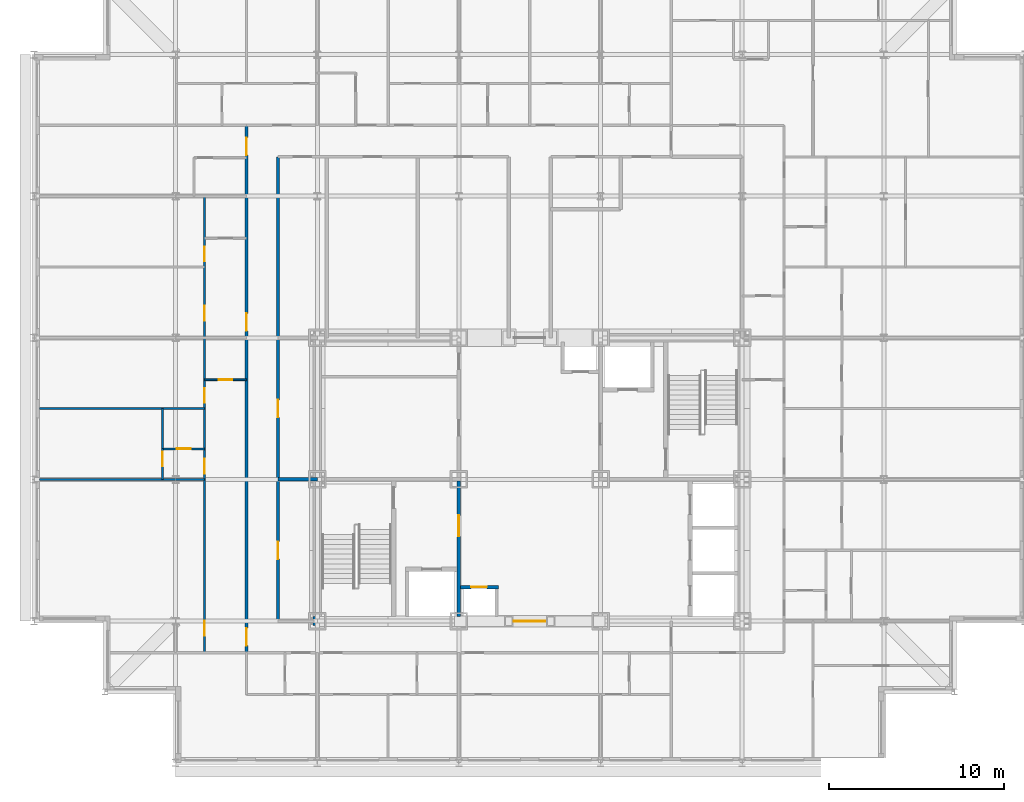
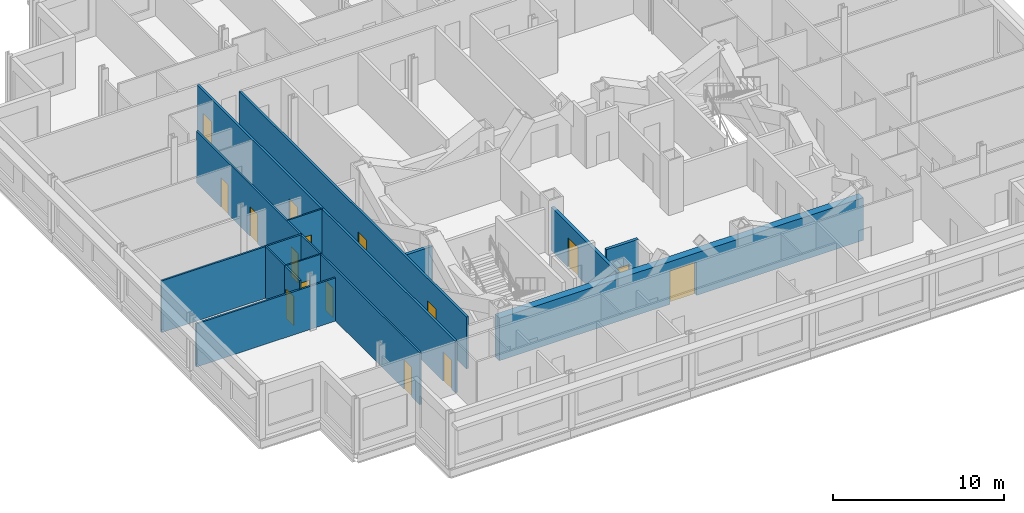
# One storey, part 8 of 15: 16 doors, 13 walls, 16 openings.
"""IFC4 building model written with IfcOpenShell, lengths in metres."""

from ifc_helpers import new_model, si_unit, direction, frame, frame_2d, origin, place, context, subcontext, project, spatial, rectangle, extrude, material, layer, layer_set, type_object, element, fill, save


model = new_model("IFC4")

# Units and contexts
model_context = context("Model", 3, precision=1e-05, world=origin(), true_north=direction((0.0, 1.0)))
body_context = subcontext(model_context, "Body", "Model", "MODEL_VIEW")
ifc_project = project(units=[si_unit("LENGTHUNIT", "METRE"), si_unit("AREAUNIT", "SQUARE_METRE"), si_unit("VOLUMEUNIT", "CUBIC_METRE"), si_unit("PLANEANGLEUNIT", "RADIAN"), si_unit("MASSUNIT", "GRAM", prefix="KILO")], contexts=[model_context])

# Site, building, storey
site_placement = place(None, origin())
site = spatial("IfcSite", under=ifc_project, at=site_placement, CompositionType="ELEMENT")
building_placement = place(site_placement, origin())
building = spatial("IfcBuilding", under=site, at=building_placement, Name="Kopane Lantern Tower", CompositionType="ELEMENT")
storey_placement = place(building_placement, frame((0.0, 0.0, 273.60009765625)))
storey = spatial("IfcBuildingStorey", under=building, at=storey_placement, Name="L70", CompositionType="ELEMENT", Elevation=273.60009765625)

# Wall, openings, doors
ifc_material_1 = material(Name="Gypsum board on steel studs", Category="steel")
ifc_layer_1 = layer(ifc_material_1, 0.1201171875)
ifc_layer_set_1 = layer_set([ifc_layer_1], Name="APARTMENT INTERNAL WALL 120")
wall_type_1 = type_object("IfcWallType", Name="APARTMENT INTERNAL WALL 120", PredefinedType="PARTITIONING", material=ifc_layer_set_1)
wall_1_placement = place(storey_placement, frame((9.75, 22.5, 0.0), z_axis=(0.0, 0.0, 1.0), x_axis=(0.0, 1.0, 0.0)))
wall_1 = element("IfcWall", 1, at=wall_1_placement, inside=storey, type_object=wall_type_1, Name="Apartment Internal Wall 120 L70", PredefinedType="PARTITIONING", context=body_context, shape_type="SweptSolid", body=[
    extrude(rectangle(XDim=26.10009765625, YDim=0.1201171875, at=frame_2d((13.050048828125, 0.0))), origin(), (0.0, 0.0, 1.0), 3.68994140625),
])
opening_1_placement = place(wall_1_placement, frame((0.97509765625, 0.0, 0.0)))
opening_1 = element("IfcOpeningElement", 2, at=opening_1_placement, cuts=wall_1, Name="Opening L70-028", PredefinedType="OPENING", context=body_context, shape_type="SweptSolid", body=[
    extrude(rectangle(XDim=0.85009765625, YDim=2.10009765625, at=frame_2d((0.425048828125, 1.050048828125))), frame((0.0, 0.070068359375, 0.0), z_axis=(0.0, -1.0, 0.0), x_axis=(1.0, 0.0, 0.0)), (0.0, 0.0, 1.0), 0.14013671875),
])
opening_2_placement = place(wall_1_placement, frame((10.22509765625, 0.0, 0.0)))
opening_2 = element("IfcOpeningElement", 3, at=opening_2_placement, cuts=wall_1, Name="Opening L70-030", PredefinedType="OPENING", context=body_context, shape_type="SweptSolid", body=[
    extrude(rectangle(XDim=0.85009765625, YDim=2.10009765625, at=frame_2d((0.425048828125, 1.050048828125))), frame((0.0, 0.070068359375, 0.0), z_axis=(0.0, -1.0, 0.0), x_axis=(1.0, 0.0, 0.0)), (0.0, 0.0, 1.0), 0.14013671875),
])
opening_3_placement = place(wall_1_placement, frame((14.27490234375, 0.0, 0.0)))
opening_3 = element("IfcOpeningElement", 4, at=opening_3_placement, cuts=wall_1, Name="Opening L70-031", PredefinedType="OPENING", context=body_context, shape_type="SweptSolid", body=[
    extrude(rectangle(XDim=0.85009765625, YDim=2.10009765625, at=frame_2d((0.425048828125, 1.050048828125))), frame((0.0, 0.070068359375, 0.0), z_axis=(0.0, -1.0, 0.0), x_axis=(1.0, 0.0, 0.0)), (0.0, 0.0, 1.0), 0.14013671875),
])
opening_4_placement = place(wall_1_placement, frame((18.97509765625, 0.0, 0.0)))
opening_4 = element("IfcOpeningElement", 5, at=opening_4_placement, cuts=wall_1, Name="Opening L70-034", PredefinedType="OPENING", context=body_context, shape_type="SweptSolid", body=[
    extrude(rectangle(XDim=0.85009765625, YDim=2.10009765625, at=frame_2d((0.425048828125, 1.050048828125))), frame((0.0, 0.070068359375, 0.0), z_axis=(0.0, -1.0, 0.0), x_axis=(1.0, 0.0, 0.0)), (0.0, 0.0, 1.0), 0.14013671875),
])
opening_5_placement = place(wall_1_placement, frame((22.375, 0.0, 0.0)))
opening_5 = element("IfcOpeningElement", 6, at=opening_5_placement, cuts=wall_1, Name="Opening L70-035", PredefinedType="OPENING", context=body_context, shape_type="SweptSolid", body=[
    extrude(rectangle(XDim=0.85009765625, YDim=2.10009765625, at=frame_2d((0.425048828125, 1.050048828125))), frame((0.0, 0.070068359375, 0.0), z_axis=(0.0, -1.0, 0.0), x_axis=(1.0, 0.0, 0.0)), (0.0, 0.0, 1.0), 0.14013671875),
])
ifc_material_2 = material(Name="Timber door set", Category="wood")
door_type_1 = type_object("IfcDoorType", Name="DOOR D4 850x2100", OperationType="SINGLE_SWING_LEFT", PredefinedType="DOOR", material=ifc_material_2)
door_1_placement = place(opening_1_placement, origin())
door_1 = element("IfcDoor", 7, at=door_1_placement, inside=storey, type_object=door_type_1, Name="Door L70-028", OperationType="SINGLE_SWING_RIGHT", OverallHeight=2.10009765625, OverallWidth=0.85009765625, PredefinedType="DOOR", context=body_context, shape_type="SweptSolid", body=[
    extrude(rectangle(XDim=0.85009765625, YDim=2.10009765625, at=frame_2d((0.425048828125, 1.050048828125))), frame((0.0, 0.02490234375, 0.0), z_axis=(0.0, -1.0, 0.0), x_axis=(1.0, 0.0, 0.0)), (0.0, 0.0, 1.0), 0.050048828125),
])
fill(opening_1, door_1)
door_2_placement = place(opening_2_placement, origin())
door_2 = element("IfcDoor", 8, at=door_2_placement, inside=storey, type_object=door_type_1, Name="Door L70-030", OperationType="SINGLE_SWING_LEFT", OverallHeight=2.10009765625, OverallWidth=0.85009765625, PredefinedType="DOOR", context=body_context, shape_type="SweptSolid", body=[
    extrude(rectangle(XDim=0.85009765625, YDim=2.10009765625, at=frame_2d((0.425048828125, 1.050048828125))), frame((0.0, 0.02490234375, 0.0), z_axis=(0.0, -1.0, 0.0), x_axis=(1.0, 0.0, 0.0)), (0.0, 0.0, 1.0), 0.050048828125),
])
fill(opening_2, door_2)
door_3_placement = place(opening_3_placement, origin())
door_3 = element("IfcDoor", 9, at=door_3_placement, inside=storey, type_object=door_type_1, Name="Door L70-031", OperationType="SINGLE_SWING_LEFT", OverallHeight=2.10009765625, OverallWidth=0.85009765625, PredefinedType="DOOR", context=body_context, shape_type="SweptSolid", body=[
    extrude(rectangle(XDim=0.85009765625, YDim=2.10009765625, at=frame_2d((0.425048828125, 1.050048828125))), frame((0.0, 0.02490234375, 0.0), z_axis=(0.0, -1.0, 0.0), x_axis=(1.0, 0.0, 0.0)), (0.0, 0.0, 1.0), 0.050048828125),
])
fill(opening_3, door_3)
door_4_placement = place(opening_4_placement, origin())
door_4 = element("IfcDoor", 10, at=door_4_placement, inside=storey, type_object=door_type_1, Name="Door L70-034", OperationType="SINGLE_SWING_RIGHT", OverallHeight=2.10009765625, OverallWidth=0.85009765625, PredefinedType="DOOR", context=body_context, shape_type="SweptSolid", body=[
    extrude(rectangle(XDim=0.85009765625, YDim=2.10009765625, at=frame_2d((0.425048828125, 1.050048828125))), frame((0.0, 0.02490234375, 0.0), z_axis=(0.0, -1.0, 0.0), x_axis=(1.0, 0.0, 0.0)), (0.0, 0.0, 1.0), 0.050048828125),
])
fill(opening_4, door_4)
door_5_placement = place(opening_5_placement, origin())
door_5 = element("IfcDoor", 11, at=door_5_placement, inside=storey, type_object=door_type_1, Name="Door L70-035", OperationType="SINGLE_SWING_LEFT", OverallHeight=2.10009765625, OverallWidth=0.85009765625, PredefinedType="DOOR", context=body_context, shape_type="SweptSolid", body=[
    extrude(rectangle(XDim=0.85009765625, YDim=2.10009765625, at=frame_2d((0.425048828125, 1.050048828125))), frame((0.0, 0.02490234375, 0.0), z_axis=(0.0, -1.0, 0.0), x_axis=(1.0, 0.0, 0.0)), (0.0, 0.0, 1.0), 0.050048828125),
])
fill(opening_5, door_5)

# Walls
wall_2_placement = place(storey_placement, frame((9.75, 32.39990234375, 0.0), z_axis=(0.0, 0.0, 1.0), x_axis=(-1.0, 0.0, 0.0)))
element("IfcWall", 12, at=wall_2_placement, inside=storey, type_object=wall_type_1, Name="Apartment Internal Wall 120 L70", PredefinedType="PARTITIONING", context=body_context, shape_type="SweptSolid", body=[
    extrude(rectangle(XDim=9.449951171875, YDim=0.1201171875, at=frame_2d((4.72509765625, 0.0))), origin(), (0.0, 0.0, 1.0), 3.07763671875),
])
wall_3_placement = place(storey_placement, frame((9.75, 36.449951171875, 0.0), z_axis=(0.0, 0.0, 1.0), x_axis=(-1.0, 0.0, 0.0)))
element("IfcWall", 13, at=wall_3_placement, inside=storey, type_object=wall_type_1, Name="Apartment Internal Wall 120 L70", PredefinedType="PARTITIONING", context=body_context, shape_type="SweptSolid", body=[
    extrude(rectangle(XDim=9.449951171875, YDim=0.1201171875, at=frame_2d((4.72509765625, 0.0))), origin(), (0.0, 0.0, 1.0), 3.68994140625),
])

# Wall, opening, door
wall_4_placement = place(storey_placement, frame((7.35009765625, 32.39990234375, 0.0), z_axis=(0.0, 0.0, 1.0), x_axis=(0.0, 1.0, 0.0)))
wall_4 = element("IfcWall", 14, at=wall_4_placement, inside=storey, type_object=wall_type_1, Name="Apartment Internal Wall 120 L70", PredefinedType="PARTITIONING", context=body_context, shape_type="SweptSolid", body=[
    extrude(rectangle(XDim=1.760009765625, YDim=0.1201171875, at=frame_2d((0.8798828125, 0.0))), origin(), (0.0, 0.0, 1.0), 3.68994140625),
])
opening_6_placement = place(wall_4_placement, frame((0.75, 0.0, 0.0)))
opening_6 = element("IfcOpeningElement", 15, at=opening_6_placement, cuts=wall_4, Name="Opening L70-063", PredefinedType="OPENING", context=body_context, shape_type="SweptSolid", body=[
    extrude(rectangle(XDim=0.85009765625, YDim=2.10009765625, at=frame_2d((0.425048828125, 1.050048828125))), frame((0.0, 0.070068359375, 0.0), z_axis=(0.0, -1.0, 0.0), x_axis=(1.0, 0.0, 0.0)), (0.0, 0.0, 1.0), 0.14013671875),
])
door_6_placement = place(opening_6_placement, origin())
door_6 = element("IfcDoor", 16, at=door_6_placement, inside=storey, type_object=door_type_1, Name="Door L70-063", OperationType="SINGLE_SWING_LEFT", OverallHeight=2.10009765625, OverallWidth=0.85009765625, PredefinedType="DOOR", context=body_context, shape_type="SweptSolid", body=[
    extrude(rectangle(XDim=0.85009765625, YDim=2.10009765625, at=frame_2d((0.425048828125, 1.050048828125))), frame((0.0, 0.02490234375, 0.0), z_axis=(0.0, -1.0, 0.0), x_axis=(1.0, 0.0, 0.0)), (0.0, 0.0, 1.0), 0.050048828125),
])
fill(opening_6, door_6)

ifc_material_3 = material(Name="Moisture-resistant board on steel studs", Category="steel")
ifc_layer_2 = layer(ifc_material_3, 0.10009765625)
ifc_layer_set_2 = layer_set([ifc_layer_2], Name="BATHROOM WALL 100")
wall_type_2 = type_object("IfcWallType", Name="BATHROOM WALL 100", PredefinedType="PARTITIONING", material=ifc_layer_set_2)
wall_5_placement = place(storey_placement, frame((12.14990234375, 38.10009765625, 0.0), z_axis=(0.0, 0.0, 1.0), x_axis=(-1.0, 0.0, 0.0)))
wall_5 = element("IfcWall", 17, at=wall_5_placement, inside=storey, type_object=wall_type_2, Name="Bathroom Wall 100 L70", PredefinedType="PARTITIONING", context=body_context, shape_type="SweptSolid", body=[
    extrude(rectangle(XDim=2.39990234375, YDim=0.10009765625, at=frame_2d((1.199951171875, 0.0))), origin(), (0.0, 0.0, 1.0), 3.68994140625),
])
opening_7_placement = place(wall_5_placement, frame((0.800048828125, 0.0, 0.0)))
opening_7 = element("IfcOpeningElement", 18, at=opening_7_placement, cuts=wall_5, Name="Opening L70-026", PredefinedType="OPENING", context=body_context, shape_type="SweptSolid", body=[
    extrude(rectangle(XDim=0.800048828125, YDim=2.10009765625, at=frame_2d((0.39990234375, 1.050048828125))), frame((0.0, 0.06005859375, 0.0), z_axis=(0.0, -1.0, 0.0), x_axis=(1.0, 0.0, 0.0)), (0.0, 0.0, 1.0), 0.1201171875),
])
ifc_material_4 = material(Name="Timber door set", Category="wood")
door_type_2 = type_object("IfcDoorType", Name="DOOR D2 800x2100", OperationType="SINGLE_SWING_LEFT", PredefinedType="DOOR", material=ifc_material_4)
door_7_placement = place(opening_7_placement, origin())
door_7 = element("IfcDoor", 19, at=door_7_placement, inside=storey, type_object=door_type_2, Name="Door L70-026", OperationType="SINGLE_SWING_RIGHT", OverallHeight=2.10009765625, OverallWidth=0.800048828125, PredefinedType="DOOR", context=body_context, shape_type="SweptSolid", body=[
    extrude(rectangle(XDim=0.800048828125, YDim=2.10009765625, at=frame_2d((0.39990234375, 1.050048828125))), frame((0.0, 0.02490234375, 0.0), z_axis=(0.0, -1.0, 0.0), x_axis=(1.0, 0.0, 0.0)), (0.0, 0.0, 1.0), 0.050048828125),
])
fill(opening_7, door_7)

wall_6_placement = place(storey_placement, frame((9.75, 34.14990234375, 0.0), z_axis=(0.0, 0.0, 1.0), x_axis=(-1.0, 0.0, 0.0)))
wall_6 = element("IfcWall", 20, at=wall_6_placement, inside=storey, type_object=wall_type_2, Name="Bathroom Wall 100 L70", PredefinedType="PARTITIONING", context=body_context, shape_type="SweptSolid", body=[
    extrude(rectangle(XDim=2.39990234375, YDim=0.10009765625, at=frame_2d((1.199951171875, 0.0))), origin(), (0.0, 0.0, 1.0), 3.68994140625),
])
opening_8_placement = place(wall_6_placement, frame((0.800048828125, 0.0, 0.0)))
opening_8 = element("IfcOpeningElement", 21, at=opening_8_placement, cuts=wall_6, Name="Opening L70-029", PredefinedType="OPENING", context=body_context, shape_type="SweptSolid", body=[
    extrude(rectangle(XDim=0.800048828125, YDim=2.10009765625, at=frame_2d((0.39990234375, 1.050048828125))), frame((0.0, 0.06005859375, 0.0), z_axis=(0.0, -1.0, 0.0), x_axis=(1.0, 0.0, 0.0)), (0.0, 0.0, 1.0), 0.1201171875),
])
door_8_placement = place(opening_8_placement, origin())
door_8 = element("IfcDoor", 22, at=door_8_placement, inside=storey, type_object=door_type_2, Name="Door L70-029", OperationType="SINGLE_SWING_RIGHT", OverallHeight=2.10009765625, OverallWidth=0.800048828125, PredefinedType="DOOR", context=body_context, shape_type="SweptSolid", body=[
    extrude(rectangle(XDim=0.800048828125, YDim=2.10009765625, at=frame_2d((0.39990234375, 1.050048828125))), frame((0.0, 0.02490234375, 0.0), z_axis=(0.0, -1.0, 0.0), x_axis=(1.0, 0.0, 0.0)), (0.0, 0.0, 1.0), 0.050048828125),
])
fill(opening_8, door_8)

# Wall
wall_7_placement = place(storey_placement, frame((7.35009765625, 34.14990234375, 0.0), z_axis=(0.0, 0.0, 1.0), x_axis=(0.0, 1.0, 0.0)))
element("IfcWall", 23, at=wall_7_placement, inside=storey, type_object=wall_type_2, Name="Bathroom Wall 100 L70", PredefinedType="PARTITIONING", context=body_context, shape_type="SweptSolid", body=[
    extrude(rectangle(XDim=2.300048828125, YDim=0.10009765625, at=frame_2d((1.14990234375, 0.0))), origin(), (0.0, 0.0, 1.0), 3.68994140625),
])

# Wall, opening, door
ifc_material_5 = material(Name="Gypsum shaft wall EI 120", Category="gypsum")
ifc_layer_3 = layer(ifc_material_5, 0.5)
ifc_layer_set_3 = layer_set([ifc_layer_3], Name="CORE PERIMETER WALL 500 EI 120")
wall_type_3 = type_object("IfcWallType", Name="CORE PERIMETER WALL 500 EI 120", PredefinedType="SOLIDWALL", material=ifc_layer_set_3)
wall_8_placement = place(storey_placement, frame((15.949951171875, 24.300048828125, 0.0), z_axis=(0.0, 0.0, 1.0), x_axis=(1.0, 0.0, 0.0)))
wall_8 = element("IfcWall", 24, at=wall_8_placement, inside=storey, type_object=wall_type_3, Name="Core shaft wall L70 PS", PredefinedType="SOLIDWALL", context=body_context, shape_type="SweptSolid", body=[
    extrude(rectangle(XDim=24.550048828125, YDim=0.5, at=frame_2d((12.27490234375, 0.0))), origin(), (0.0, 0.0, 1.0), 3.039794921875),
])
opening_9_placement = place(wall_8_placement, frame((11.5, 0.0, 0.0)))
opening_9 = element("IfcOpeningElement", 25, at=opening_9_placement, cuts=wall_8, Name="Opening 70.CE-S", PredefinedType="OPENING", context=body_context, shape_type="SweptSolid", body=[
    extrude(rectangle(XDim=1.800048828125, YDim=2.39990234375, at=frame_2d((0.89990234375, 1.199951171875))), frame((0.0, 0.260009765625, 0.0), z_axis=(0.0, -1.0, 0.0), x_axis=(1.0, 0.0, 0.0)), (0.0, 0.0, 1.0), 0.52001953125),
])
ifc_material_6 = material(Name="Steel door set", Category="steel")
door_type_3 = type_object("IfcDoorType", Name="CORE ENTRY DOOR 1800x2400 FD60S", OperationType="DOUBLE_DOOR_SINGLE_SWING", PredefinedType="DOOR", material=ifc_material_6)
door_9_placement = place(opening_9_placement, origin())
door_9 = element("IfcDoor", 26, at=door_9_placement, inside=storey, type_object=door_type_3, Name="Core entry door L70 south", OperationType="DOUBLE_DOOR_SINGLE_SWING", OverallHeight=2.39990234375, OverallWidth=1.800048828125, PredefinedType="DOOR", context=body_context, shape_type="SweptSolid", body=[
    extrude(rectangle(XDim=1.800048828125, YDim=2.39990234375, at=frame_2d((0.89990234375, 1.199951171875))), frame((0.0, 0.02490234375, 0.0), z_axis=(0.0, -1.0, 0.0), x_axis=(1.0, 0.0, 0.0)), (0.0, 0.0, 1.0), 0.050048828125),
])
fill(opening_9, door_9)

# Wall, openings, doors
ifc_material_7 = material(Name="Gypsum board on steel studs", Category="steel")
ifc_layer_4 = layer(ifc_material_7, 0.14990234375)
ifc_layer_set_4 = layer_set([ifc_layer_4], Name="CORRIDOR WALL 150 EI 60")
wall_type_4 = type_object("IfcWallType", Name="CORRIDOR WALL 150 EI 60", PredefinedType="PARTITIONING", material=ifc_layer_set_4)
wall_9_placement = place(storey_placement, frame((12.14990234375, 22.5, 0.0), z_axis=(0.0, 0.0, 1.0), x_axis=(0.0, 1.0, 0.0)))
wall_9 = element("IfcWall", 27, at=wall_9_placement, inside=storey, type_object=wall_type_4, Name="Corridor Wall 150 Ei 60 L70", PredefinedType="PARTITIONING", context=body_context, shape_type="SweptSolid", body=[
    extrude(rectangle(XDim=30.14990234375, YDim=0.14990234375, at=frame_2d((15.074951171875, 0.0))), origin(), (0.0, 0.0, 1.0), 3.68994140625),
])
opening_10_placement = place(wall_9_placement, frame((0.39990234375, 0.0, 0.0)))
opening_10 = element("IfcOpeningElement", 28, at=opening_10_placement, cuts=wall_9, Name="Opening L70-027", PredefinedType="OPENING", context=body_context, shape_type="SweptSolid", body=[
    extrude(rectangle(XDim=1.0, YDim=2.10009765625, at=frame_2d((0.5, 1.050048828125))), frame((0.0, 0.0849609375, 0.0), z_axis=(0.0, -1.0, 0.0), x_axis=(1.0, 0.0, 0.0)), (0.0, 0.0, 1.0), 0.169921875),
])
opening_11_placement = place(wall_9_placement, frame((18.39990234375, 0.0, 0.0)))
opening_11 = element("IfcOpeningElement", 29, at=opening_11_placement, cuts=wall_9, Name="Opening L70-033", PredefinedType="OPENING", context=body_context, shape_type="SweptSolid", body=[
    extrude(rectangle(XDim=1.0, YDim=2.10009765625, at=frame_2d((0.5, 1.050048828125))), frame((0.0, 0.0849609375, 0.0), z_axis=(0.0, -1.0, 0.0), x_axis=(1.0, 0.0, 0.0)), (0.0, 0.0, 1.0), 0.169921875),
])
opening_12_placement = place(wall_9_placement, frame((28.449951171875, 0.0, 0.0)))
opening_12 = element("IfcOpeningElement", 30, at=opening_12_placement, cuts=wall_9, Name="Opening L70-037", PredefinedType="OPENING", context=body_context, shape_type="SweptSolid", body=[
    extrude(rectangle(XDim=1.0, YDim=2.10009765625, at=frame_2d((0.5, 1.050048828125))), frame((0.0, 0.0849609375, 0.0), z_axis=(0.0, -1.0, 0.0), x_axis=(1.0, 0.0, 0.0)), (0.0, 0.0, 1.0), 0.169921875),
])
ifc_material_8 = material(Name="Steel door set", Category="steel")
door_type_4 = type_object("IfcDoorType", Name="DOOR D3 1000x2100 FD30S", OperationType="SINGLE_SWING_LEFT", PredefinedType="DOOR", material=ifc_material_8)
door_10_placement = place(opening_10_placement, origin())
door_10 = element("IfcDoor", 31, at=door_10_placement, inside=storey, type_object=door_type_4, Name="Door L70-027", OperationType="SINGLE_SWING_LEFT", OverallHeight=2.10009765625, OverallWidth=1.0, PredefinedType="DOOR", context=body_context, shape_type="SweptSolid", body=[
    extrude(rectangle(XDim=1.0, YDim=2.10009765625, at=frame_2d((0.5, 1.050048828125))), frame((0.0, 0.02490234375, 0.0), z_axis=(0.0, -1.0, 0.0), x_axis=(1.0, 0.0, 0.0)), (0.0, 0.0, 1.0), 0.050048828125),
])
fill(opening_10, door_10)
door_11_placement = place(opening_11_placement, origin())
door_11 = element("IfcDoor", 32, at=door_11_placement, inside=storey, type_object=door_type_4, Name="Door L70-033", OperationType="SINGLE_SWING_LEFT", OverallHeight=2.10009765625, OverallWidth=1.0, PredefinedType="DOOR", context=body_context, shape_type="SweptSolid", body=[
    extrude(rectangle(XDim=1.0, YDim=2.10009765625, at=frame_2d((0.5, 1.050048828125))), frame((0.0, 0.02490234375, 0.0), z_axis=(0.0, -1.0, 0.0), x_axis=(1.0, 0.0, 0.0)), (0.0, 0.0, 1.0), 0.050048828125),
])
fill(opening_11, door_11)
door_12_placement = place(opening_12_placement, origin())
door_12 = element("IfcDoor", 33, at=door_12_placement, inside=storey, type_object=door_type_4, Name="Door L70-037", OperationType="SINGLE_SWING_LEFT", OverallHeight=2.10009765625, OverallWidth=1.0, PredefinedType="DOOR", context=body_context, shape_type="SweptSolid", body=[
    extrude(rectangle(XDim=1.0, YDim=2.10009765625, at=frame_2d((0.5, 1.050048828125))), frame((0.0, 0.02490234375, 0.0), z_axis=(0.0, -1.0, 0.0), x_axis=(1.0, 0.0, 0.0)), (0.0, 0.0, 1.0), 0.050048828125),
])
fill(opening_12, door_12)

wall_10_placement = place(storey_placement, frame((13.949951171875, 24.300048828125, 0.0), z_axis=(0.0, 0.0, 1.0), x_axis=(0.0, 1.0, 0.0)))
wall_10 = element("IfcWall", 34, at=wall_10_placement, inside=storey, type_object=wall_type_4, Name="Corridor Wall 150 Ei 60 L70", PredefinedType="PARTITIONING", context=body_context, shape_type="SweptSolid", body=[
    extrude(rectangle(XDim=26.550048828125, YDim=0.14990234375, at=frame_2d((13.27490234375, 0.0))), origin(), (0.0, 0.0, 1.0), 3.68994140625),
])
opening_13_placement = place(wall_10_placement, frame((3.550048828125, 0.0, 0.0)))
opening_13 = element("IfcOpeningElement", 35, at=opening_13_placement, cuts=wall_10, Name="Opening L70-001", PredefinedType="OPENING", context=body_context, shape_type="SweptSolid", body=[
    extrude(rectangle(XDim=1.0, YDim=2.10009765625, at=frame_2d((0.5, 1.050048828125))), frame((0.0, 0.0849609375, 0.0), z_axis=(0.0, -1.0, 0.0), x_axis=(1.0, 0.0, 0.0)), (0.0, 0.0, 1.0), 0.169921875),
])
opening_14_placement = place(wall_10_placement, frame((11.64990234375, 0.0, 0.0)))
opening_14 = element("IfcOpeningElement", 36, at=opening_14_placement, cuts=wall_10, Name="Opening L70-002", PredefinedType="OPENING", context=body_context, shape_type="SweptSolid", body=[
    extrude(rectangle(XDim=1.0, YDim=2.10009765625, at=frame_2d((0.5, 1.050048828125))), frame((0.0, 0.0849609375, 0.0), z_axis=(0.0, -1.0, 0.0), x_axis=(1.0, 0.0, 0.0)), (0.0, 0.0, 1.0), 0.169921875),
])
ifc_material_9 = material(Name="Steel door set", Category="steel")
door_type_5 = type_object("IfcDoorType", Name="DOOR D5 1000x2100 FD60", OperationType="SINGLE_SWING_LEFT", PredefinedType="DOOR", material=ifc_material_9)
door_13_placement = place(opening_13_placement, origin())
door_13 = element("IfcDoor", 37, at=door_13_placement, inside=storey, type_object=door_type_5, Name="Door L70-001", OperationType="SINGLE_SWING_RIGHT", OverallHeight=2.10009765625, OverallWidth=1.0, PredefinedType="DOOR", context=body_context, shape_type="SweptSolid", body=[
    extrude(rectangle(XDim=1.0, YDim=2.10009765625, at=frame_2d((0.5, 1.050048828125))), frame((0.0, 0.02490234375, 0.0), z_axis=(0.0, -1.0, 0.0), x_axis=(1.0, 0.0, 0.0)), (0.0, 0.0, 1.0), 0.050048828125),
])
fill(opening_13, door_13)
door_14_placement = place(opening_14_placement, origin())
door_14 = element("IfcDoor", 38, at=door_14_placement, inside=storey, type_object=door_type_5, Name="Door L70-002", OperationType="SINGLE_SWING_LEFT", OverallHeight=2.10009765625, OverallWidth=1.0, PredefinedType="DOOR", context=body_context, shape_type="SweptSolid", body=[
    extrude(rectangle(XDim=1.0, YDim=2.10009765625, at=frame_2d((0.5, 1.050048828125))), frame((0.0, 0.02490234375, 0.0), z_axis=(0.0, -1.0, 0.0), x_axis=(1.0, 0.0, 0.0)), (0.0, 0.0, 1.0), 0.050048828125),
])
fill(opening_14, door_14)

# Wall
ifc_material_10 = material(Name="Concrete masonry", Category="masonry")
ifc_layer_5 = layer(ifc_material_10, 0.199951171875)
ifc_layer_set_5 = layer_set([ifc_layer_5], Name="PLANT ROOM WALL 200 EI 120")
wall_type_5 = type_object("IfcWallType", Name="PLANT ROOM WALL 200 EI 120", PredefinedType="SOLIDWALL", material=ifc_layer_set_5)
wall_11_placement = place(storey_placement, frame((13.949951171875, 32.39990234375, 0.0), z_axis=(0.0, 0.0, 1.0), x_axis=(1.0, 0.0, 0.0)))
element("IfcWall", 39, at=wall_11_placement, inside=storey, type_object=wall_type_5, Name="Plant Room Wall 200 Ei 120 L70", PredefinedType="SOLIDWALL", context=body_context, shape_type="SweptSolid", body=[
    extrude(rectangle(XDim=2.25, YDim=0.199951171875, at=frame_2d((1.125, 0.0))), origin(), (0.0, 0.0, 1.0), 3.07763671875),
])

# Wall, opening, door
ifc_material_11 = material(Name="Gypsum shaft wall EI 120", Category="gypsum")
ifc_layer_6 = layer(ifc_material_11, 0.199951171875)
ifc_layer_set_6 = layer_set([ifc_layer_6], Name="SHAFT WALL 200 EI 120")
wall_type_6 = type_object("IfcWallType", Name="SHAFT WALL 200 EI 120", PredefinedType="SOLIDWALL", material=ifc_layer_set_6)
wall_12_placement = place(storey_placement, frame((24.300048828125, 24.550048828125, 0.0), z_axis=(0.0, 0.0, 1.0), x_axis=(0.0, 1.0, 0.0)))
wall_12 = element("IfcWall", 40, at=wall_12_placement, inside=storey, type_object=wall_type_6, Name="Core shaft wall L70 X243", PredefinedType="SOLIDWALL", context=body_context, shape_type="SweptSolid", body=[
    extrude(rectangle(XDim=7.75, YDim=0.199951171875, at=frame_2d((3.875, 0.0))), origin(), (0.0, 0.0, 1.0), 3.07763671875),
])
opening_15_placement = place(wall_12_placement, frame((4.60009765625, 0.0, 0.0)))
opening_15 = element("IfcOpeningElement", 41, at=opening_15_placement, cuts=wall_12, Name="Opening 70.FL1", PredefinedType="OPENING", context=body_context, shape_type="SweptSolid", body=[
    extrude(rectangle(XDim=1.199951171875, YDim=2.10009765625, at=frame_2d((0.60009765625, 1.050048828125))), frame((0.0, 0.10986328125, 0.0), z_axis=(0.0, -1.0, 0.0), x_axis=(1.0, 0.0, 0.0)), (0.0, 0.0, 1.0), 0.219970703125),
])
ifc_material_12 = material(Name="Steel door set", Category="steel")
door_type_6 = type_object("IfcDoorType", Name="FIREFIGHTING LOBBY DOOR 1200x2100 FD60S", OperationType="SINGLE_SWING_RIGHT", PredefinedType="DOOR", material=ifc_material_12)
door_15_placement = place(opening_15_placement, origin())
door_15 = element("IfcDoor", 42, at=door_15_placement, inside=storey, type_object=door_type_6, Name="Firefighting lobby door FL1 L70", OperationType="SINGLE_SWING_LEFT", OverallHeight=2.10009765625, OverallWidth=1.199951171875, PredefinedType="DOOR", context=body_context, shape_type="SweptSolid", body=[
    extrude(rectangle(XDim=1.199951171875, YDim=2.10009765625, at=frame_2d((0.60009765625, 1.050048828125))), frame((0.0, 0.02490234375, 0.0), z_axis=(0.0, -1.0, 0.0), x_axis=(1.0, 0.0, 0.0)), (0.0, 0.0, 1.0), 0.050048828125),
])
fill(opening_15, door_15)

wall_13_placement = place(storey_placement, frame((24.39990234375, 26.25, 0.0), z_axis=(0.0, 0.0, 1.0), x_axis=(1.0, 0.0, 0.0)))
wall_13 = element("IfcWall", 43, at=wall_13_placement, inside=storey, type_object=wall_type_6, Name="Core shaft wall L70 YRS1", PredefinedType="SOLIDWALL", context=body_context, shape_type="SweptSolid", body=[
    extrude(rectangle(XDim=2.150146484375, YDim=0.199951171875, at=frame_2d((1.0751953125, 0.0))), origin(), (0.0, 0.0, 1.0), 3.68994140625),
])
opening_16_placement = place(wall_13_placement, frame((0.60009765625, 0.0, 0.0)))
opening_16 = element("IfcOpeningElement", 44, at=opening_16_placement, cuts=wall_13, Name="Opening 70.RS1", PredefinedType="OPENING", context=body_context, shape_type="SweptSolid", body=[
    extrude(rectangle(XDim=0.89990234375, YDim=2.10009765625, at=frame_2d((0.449951171875, 1.050048828125))), frame((0.0, 0.10986328125, 0.0), z_axis=(0.0, -1.0, 0.0), x_axis=(1.0, 0.0, 0.0)), (0.0, 0.0, 1.0), 0.219970703125),
])
ifc_material_13 = material(Name="Steel door set", Category="steel")
door_type_7 = type_object("IfcDoorType", Name="RISER ACCESS DOOR 900x2100 FD60", OperationType="SINGLE_SWING_LEFT", PredefinedType="DOOR", material=ifc_material_13)
door_16_placement = place(opening_16_placement, origin())
door_16 = element("IfcDoor", 45, at=door_16_placement, inside=storey, type_object=door_type_7, Name="Riser access door RS1 L70", OperationType="SINGLE_SWING_LEFT", OverallHeight=2.10009765625, OverallWidth=0.89990234375, PredefinedType="DOOR", context=body_context, shape_type="SweptSolid", body=[
    extrude(rectangle(XDim=0.89990234375, YDim=2.10009765625, at=frame_2d((0.449951171875, 1.050048828125))), frame((0.0, 0.02490234375, 0.0), z_axis=(0.0, -1.0, 0.0), x_axis=(1.0, 0.0, 0.0)), (0.0, 0.0, 1.0), 0.050048828125),
])
fill(opening_16, door_16)

save(model, "model.ifc")
